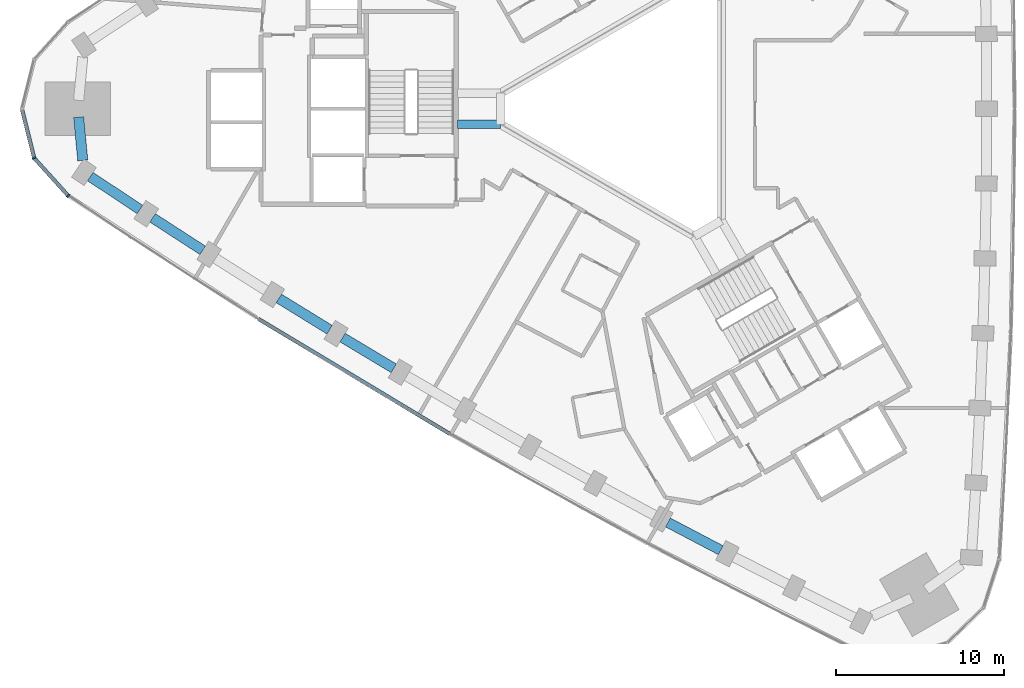
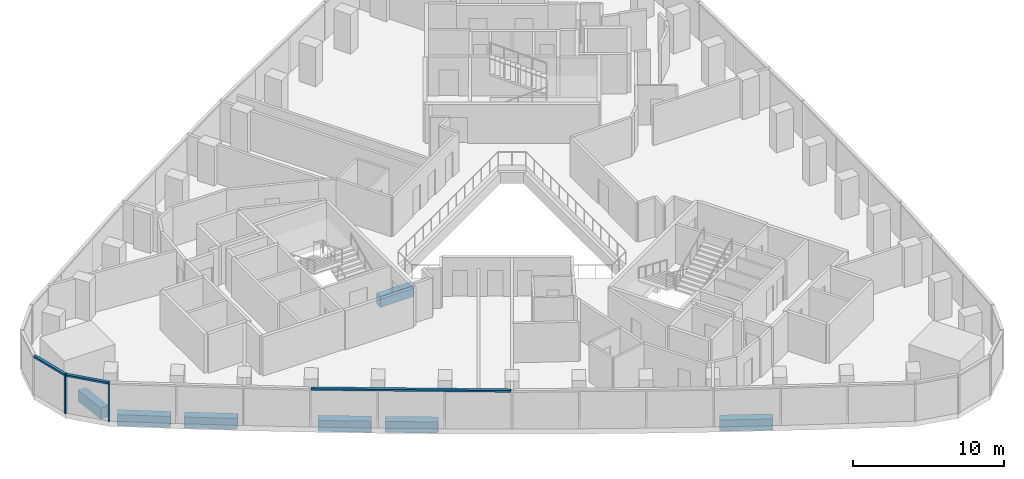
# One storey, part 2 of 12: 7 beams, 5 members, 2 elements without a shape of their own.
"""IFC4 building model written with IfcOpenShell, lengths in metres."""

from ifc_helpers import new_model, si_unit, direction, frame, origin, origin_2d, place, context, subcontext, project, spatial, rectangle, extrude, material, material_profile, profile_set, type_object, element, aggregate, save


model = new_model("IFC4")

# Units and contexts
model_context = context("Model", 3, precision=1e-05, world=origin(), true_north=direction((0.0, 1.0)))
body_context = subcontext(model_context, "Body", "Model", "MODEL_VIEW")
ifc_project = project(units=[si_unit("LENGTHUNIT", "METRE"), si_unit("AREAUNIT", "SQUARE_METRE"), si_unit("VOLUMEUNIT", "CUBIC_METRE"), si_unit("PLANEANGLEUNIT", "RADIAN"), si_unit("MASSUNIT", "GRAM", prefix="KILO")], contexts=[model_context])

# Site, building, storey
site_placement = place(None, origin())
site = spatial("IfcSite", under=ifc_project, at=site_placement, CompositionType="ELEMENT")
building_placement = place(site_placement, origin())
building = spatial("IfcBuilding", under=site, at=building_placement, Name="Tamra Quay Hotel Tower", CompositionType="ELEMENT")
storey_placement = place(building_placement, frame((0.0, 0.0, 83.0)))
storey = spatial("IfcBuildingStorey", under=building, at=storey_placement, Name="L19", CompositionType="ELEMENT", Elevation=83.0)

# Beam
ifc_material_1 = material(Name="Concrete M60", Category="concrete")
ifc_material_profile_1 = material_profile(ifc_material_1, rectangle(XDim=0.5, YDim=0.89990234375, at=origin_2d()), Name="ATRIUM TIE BEAM RC 500x900")
ifc_profile_set_1 = profile_set([ifc_material_profile_1], Name="Concrete M60")
beam_type_1 = type_object("IfcBeamType", Name="ATRIUM TIE BEAM RC 500x900", PredefinedType="BEAM", material=ifc_profile_set_1)
beam_1_placement = place(storey_placement, frame((-8.199951171875, -0.923828125, -0.875), z_axis=(-1.0, 0.0, 0.0), x_axis=(0.0, -1.0, 0.0)))
element("IfcBeam", 1, at=beam_1_placement, inside=storey, type_object=beam_type_1, Name="BM-TIE-3-L19", PredefinedType="BEAM", context=body_context, shape_type="SweptSolid", body=[
    extrude(rectangle(XDim=0.5, YDim=0.89990234375, at=origin_2d()), origin(), (0.0, 0.0, 1.0), 2.562255859375),
])

# Curtain wall, member
ifc_material_2 = material(Name="Aluminium 6063 anodised dark grey", Category="aluminium")
curtain_wall_type_1 = type_object("IfcCurtainWallType", Name="CW2 CURTAIN WALL", PredefinedType="NOTDEFINED", material=ifc_material_2)
curtain_wall_1_placement = place(storey_placement, origin())
curtain_wall_1 = element("IfcCurtainWall", 2, at=curtain_wall_1_placement, inside=storey, type_object=curtain_wall_type_1, Name="CW2 north-west face L19", PredefinedType="NOTDEFINED")
ifc_material_profile_2 = material_profile(ifc_material_2, rectangle(XDim=0.219970703125, YDim=0.10009765625, at=origin_2d()), Name="MULLION 100X220")
ifc_profile_set_2 = profile_set([ifc_material_profile_2], Name="Aluminium 6063 anodised dark grey")
member_type_1 = type_object("IfcMemberType", Name="MULLION CW2 Z2", PredefinedType="MULLION", material=ifc_profile_set_2)
member_1_placement = place(storey_placement, frame((-35.90673828125, -2.9267578125, 0.0), z_axis=(0.0, 0.0, 1.0), x_axis=(-0.882543846683, -0.47023011248, 0.0)))
member_1 = element("IfcMember", 3, at=member_1_placement, type_object=member_type_1, Name="CW2 mullion L19.NW.16", PredefinedType="MULLION", context=body_context, shape_type="SweptSolid", body=[
    extrude(rectangle(XDim=0.219970703125, YDim=0.10009765625, at=origin_2d()), origin(), (0.0, 0.0, 1.0), 3.175048828125),
])

curtain_wall_type_2 = type_object("IfcCurtainWallType", Name="CW3 CURTAIN WALL", PredefinedType="NOTDEFINED", material=ifc_material_2)
curtain_wall_2_placement = place(storey_placement, origin())
curtain_wall_2 = element("IfcCurtainWall", 4, at=curtain_wall_2_placement, inside=storey, type_object=curtain_wall_type_2, Name="CW3 south-west face L19", PredefinedType="NOTDEFINED")
ifc_material_profile_3 = material_profile(ifc_material_2, rectangle(XDim=0.219970703125, YDim=0.10009765625, at=origin_2d()), Name="MULLION 100X220")
ifc_profile_set_3 = profile_set([ifc_material_profile_3], Name="Aluminium 6063 anodised dark grey")
member_type_2 = type_object("IfcMemberType", Name="MULLION CW3 Z2", PredefinedType="MULLION", material=ifc_profile_set_3)
member_2_placement = place(storey_placement, frame((-33.88525390625, -5.166015625, 0.0), z_axis=(0.0, 0.0, 1.0), x_axis=(-0.652886907072, -0.757455402366, 0.0)))
member_2 = element("IfcMember", 5, at=member_2_placement, type_object=member_type_2, Name="CW3 mullion L19.SW.1", PredefinedType="MULLION", context=body_context, shape_type="SweptSolid", body=[
    extrude(rectangle(XDim=0.219970703125, YDim=0.10009765625, at=origin_2d()), origin(), (0.0, 0.0, 1.0), 3.175048828125),
])

# Beams
ifc_material_profile_4 = material_profile(ifc_material_1, rectangle(XDim=0.60009765625, YDim=0.89990234375, at=origin_2d()), Name="SPANDREL BEAM RC 600x900")
ifc_profile_set_4 = profile_set([ifc_material_profile_4], Name="Concrete M60")
beam_type_2 = type_object("IfcBeamType", Name="SPANDREL BEAM RC 600x900", PredefinedType="SPANDREL", material=ifc_profile_set_4)
beam_2_placement = place(storey_placement, frame((-33.26611328125, -0.497802734375, -0.875), z_axis=(0.09550001445, -0.995429428558, 0.0), x_axis=(0.995429428558, 0.09550001445, 0.0)))
element("IfcBeam", 6, at=beam_2_placement, inside=storey, type_object=beam_type_2, Name="BM-SP2-027-L19", PredefinedType="SPANDREL", context=body_context, shape_type="SweptSolid", body=[
    extrude(rectangle(XDim=0.60009765625, YDim=0.89990234375, at=origin_2d()), origin(), (0.0, 0.0, 1.0), 2.58447265625),
])
beam_3_placement = place(storey_placement, frame((-32.57666015625, -4.025390625, -0.875), z_axis=(0.832981511469, -0.55330082374, 0.0), x_axis=(0.55330082374, 0.832981511469, 0.0)))
element("IfcBeam", 7, at=beam_3_placement, inside=storey, type_object=beam_type_2, Name="BM-SP2-028-L19", PredefinedType="SPANDREL", context=body_context, shape_type="SweptSolid", body=[
    extrude(rectangle(XDim=0.60009765625, YDim=0.89990234375, at=origin_2d()), origin(), (0.0, 0.0, 1.0), 3.544921875),
])
beam_4_placement = place(storey_placement, frame((-28.87109375, -6.480712890625, -0.875), z_axis=(0.839237385713, -0.543765216266, 0.0), x_axis=(0.543765216266, 0.839237385713, 0.0)))
element("IfcBeam", 8, at=beam_4_placement, inside=storey, type_object=beam_type_2, Name="BM-SP2-029-L19", PredefinedType="SPANDREL", context=body_context, shape_type="SweptSolid", body=[
    extrude(rectangle(XDim=0.60009765625, YDim=0.89990234375, at=origin_2d()), origin(), (0.0, 0.0, 1.0), 3.544677734375),
])
beam_5_placement = place(storey_placement, frame((-21.3779296875, -11.263427734375, -0.875), z_axis=(0.851393361846, -0.524527733685, 0.0), x_axis=(0.524527733685, 0.851393361846, 0.0)))
element("IfcBeam", 9, at=beam_5_placement, inside=storey, type_object=beam_type_2, Name="BM-SP2-031-L19", PredefinedType="SPANDREL", context=body_context, shape_type="SweptSolid", body=[
    extrude(rectangle(XDim=0.60009765625, YDim=0.89990234375, at=origin_2d()), origin(), (0.0, 0.0, 1.0), 3.544921875),
])
for number, where, z_axis, x_axis, name in (
    (10, (-17.5908203125, -13.59033203125, -0.875), (0.857286231776, -0.514840088578, 0.0), (0.514840088578, 0.857286231776, 0.0), "BM-SP2-032-L19"),
    (11, (1.72900390625, -24.568603515625, -0.875), (0.885322773021, -0.464976975312, 0.0), (0.464976975312, 0.885322773021, 0.0), "BM-SP2-037-L19"),
):
    element("IfcBeam", number, at=place(storey_placement, frame(where, z_axis=z_axis, x_axis=x_axis)), inside=storey, type_object=beam_type_2, Name=name, PredefinedType="SPANDREL", context=body_context, shape_type="SweptSolid", body=[
        extrude(rectangle(XDim=0.60009765625, YDim=0.89990234375, at=origin_2d()), origin(), (0.0, 0.0, 1.0), 3.544677734375),
    ])

# Member
ifc_material_profile_5 = material_profile(ifc_material_2, rectangle(XDim=0.219970703125, YDim=0.139892578125, at=origin_2d()), Name="TRANSOM 220X140")
ifc_profile_set_5 = profile_set([ifc_material_profile_5], Name="Aluminium 6063 anodised dark grey")
member_type_3 = type_object("IfcMemberType", Name="TRANSOM CW2 Z2", PredefinedType="USERDEFINED", material=ifc_profile_set_5)
member_3_placement = place(storey_placement, frame((-36.62548828125, -0.048583984375, 3.10498046875), z_axis=(0.242338656789, -0.970191720963, 0.0), x_axis=(0.970191720963, 0.242338656789, 0.0)))
member_3 = element("IfcMember", 12, at=member_3_placement, type_object=member_type_3, Name="CW2 transom L19.NW.15", ObjectType="TRANSOM", PredefinedType="USERDEFINED", context=body_context, shape_type="SweptSolid", body=[
    extrude(rectangle(XDim=0.219970703125, YDim=0.139892578125, at=origin_2d()), origin(), (0.0, 0.0, 1.0), 2.91650390625),
])

member_4_placement = place(storey_placement, frame((-35.873046875, -2.9638671875, 3.10498046875), z_axis=(0.670064659649, -0.742302736011, 0.0), x_axis=(0.742302736011, 0.670064659649, 0.0)))
member_4 = element("IfcMember", 13, at=member_4_placement, type_object=member_type_3, Name="CW2 transom L19.NW.16", ObjectType="TRANSOM", PredefinedType="USERDEFINED", context=body_context, shape_type="SweptSolid", body=[
    extrude(rectangle(XDim=0.219970703125, YDim=0.139892578125, at=origin_2d()), origin(), (0.0, 0.0, 1.0), 2.916748046875),
])

aggregate(curtain_wall_1, [member_3, member_1, member_4])

ifc_material_profile_6 = material_profile(ifc_material_2, rectangle(XDim=0.219970703125, YDim=0.139892578125, at=origin_2d()), Name="TRANSOM 220X140")
ifc_profile_set_6 = profile_set([ifc_material_profile_6], Name="Aluminium 6063 anodised dark grey")
member_type_4 = type_object("IfcMemberType", Name="TRANSOM CW3 Z2", PredefinedType="USERDEFINED", material=ifc_profile_set_6)
member_5_placement = place(storey_placement, frame((-22.604736328125, -12.473876953125, 3.10498046875), z_axis=(0.857334050853, -0.514760454238, 0.0), x_axis=(0.514760454238, 0.857334050853, 0.0)))
member_5 = element("IfcMember", 14, at=member_5_placement, type_object=member_type_4, Name="CW3 transom L19.SW.4", ObjectType="TRANSOM", PredefinedType="USERDEFINED", context=body_context, shape_type="SweptSolid", body=[
    extrude(rectangle(XDim=0.219970703125, YDim=0.139892578125, at=origin_2d()), origin(), (0.0, 0.0, 1.0), 13.291259765625),
])

aggregate(curtain_wall_2, [member_2, member_5])

save(model, "model.ifc")
